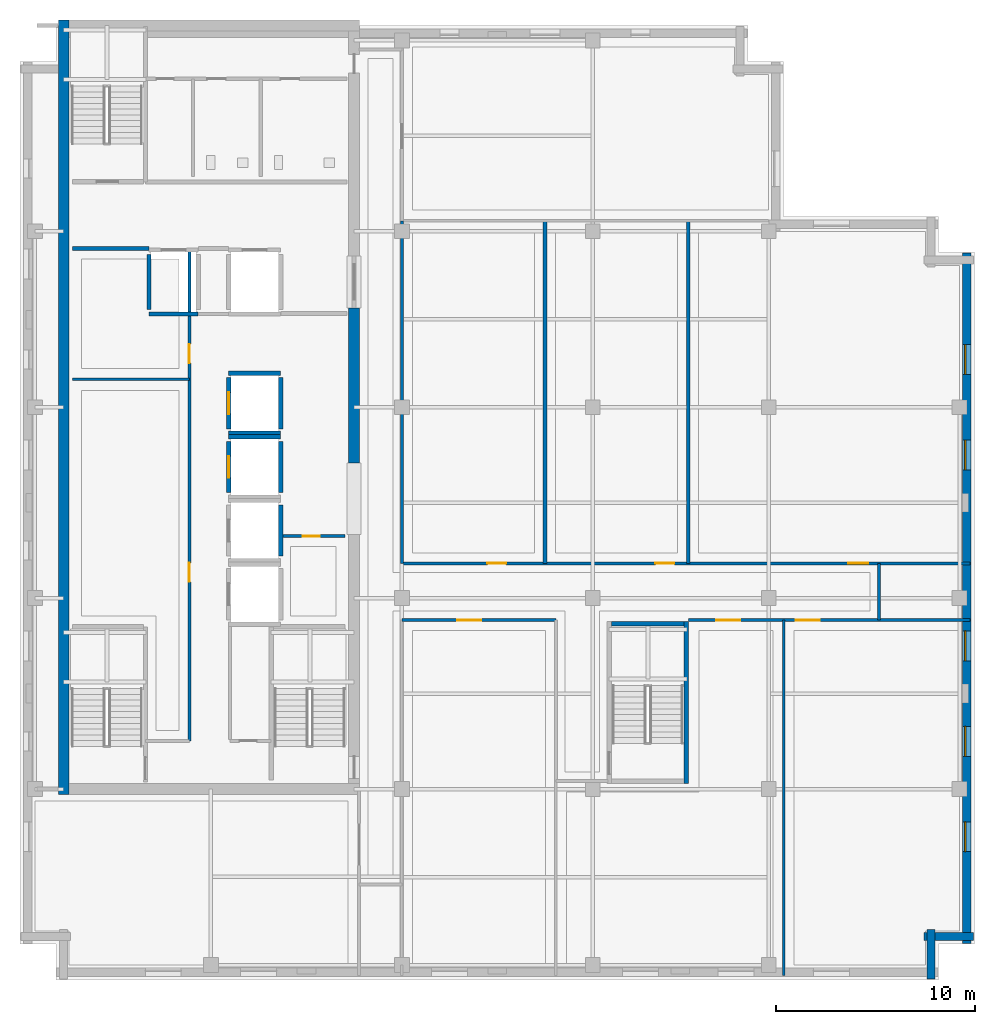
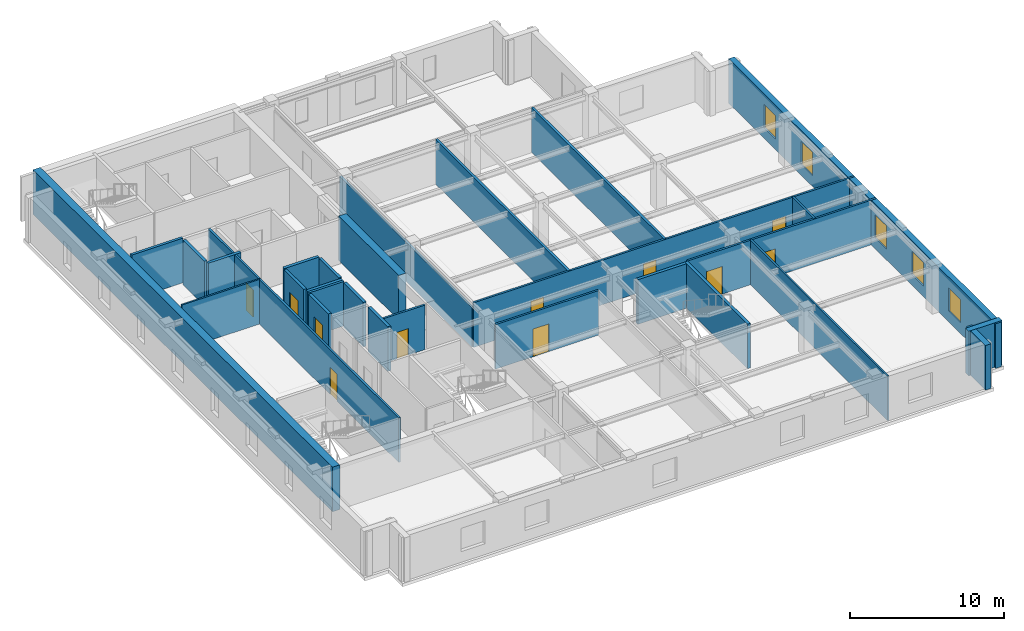
# One storey, part 4 of 10: 29 walls, 11 doors, 5 windows, 16 openings.
"""IFC4 building model written with IfcOpenShell, lengths in metres."""

from ifc_helpers import new_model, si_unit, direction, frame, frame_2d, origin, place, context, subcontext, project, spatial, rectangle, extrude, material, layer, layer_set, type_object, element, fill, save


model = new_model("IFC4")

# Units and contexts
model_context = context("Model", 3, precision=1e-05, world=origin(), true_north=direction((0.0, 1.0)))
body_context = subcontext(model_context, "Body", "Model", "MODEL_VIEW")
ifc_project = project(units=[si_unit("LENGTHUNIT", "METRE"), si_unit("AREAUNIT", "SQUARE_METRE"), si_unit("VOLUMEUNIT", "CUBIC_METRE"), si_unit("PLANEANGLEUNIT", "RADIAN"), si_unit("MASSUNIT", "GRAM", prefix="KILO")], contexts=[model_context])

# Site, building, storey
site_placement = place(None, origin())
site = spatial("IfcSite", under=ifc_project, at=site_placement, CompositionType="ELEMENT")
building_placement = place(site_placement, origin())
building = spatial("IfcBuilding", under=site, at=building_placement, Name="Norrvale University Quadrangle", CompositionType="ELEMENT")
storey_placement = place(building_placement, frame((0.0, 0.0, 265.800048828125)))
storey = spatial("IfcBuildingStorey", under=building, at=storey_placement, Name="L67", CompositionType="ELEMENT", Elevation=265.800048828125)

# Walls
ifc_material_1 = material(Name="Buff Norman Clay Brick Masonry", Category="masonry")
ifc_layer_1 = layer(ifc_material_1, 0.419921875, Name="Buff Norman Clay Brick Masonry")
ifc_layer_set_1 = layer_set([ifc_layer_1], Name="Buff Norman Clay Brick Masonry")
wall_type_1 = type_object("IfcWallType", Name="Wall Buff Brick 420", PredefinedType="SOLIDWALL", material=ifc_layer_set_1)
for number, where, z_axis, x_axis, name in (
    (1, (45.81005859375, 0.0400390625, 0.0), (0.0, 0.0, 1.0), (0.0, 1.0, 0.0), "Exterior Brick Facade Wall L67-02.1"),
    (2, (45.4599609375, 2.18994140625, 0.0), (0.0, 0.0, 1.0), (1.0, 0.0, 0.0), "Exterior Brick Facade Wall L67-03.1"),
):
    element("IfcWall", number, at=place(storey_placement, frame(where, z_axis=z_axis, x_axis=x_axis)), inside=storey, type_object=wall_type_1, Name=name, PredefinedType="SOLIDWALL", context=body_context, shape_type="SweptSolid", body=[
        extrude(rectangle(XDim=2.5, YDim=0.419921875, at=frame_2d((1.25, 0.0))), origin(), (0.0, 0.0, 1.0), 3.5400390625),
    ])

# Wall, openings, windows
wall_1_placement = place(storey_placement, frame((47.610107421875, 1.840087890625, 0.0), z_axis=(0.0, 0.0, 1.0), x_axis=(0.0, 1.0, 0.0)))
wall_1 = element("IfcWall", 3, at=wall_1_placement, inside=storey, type_object=wall_type_1, Name="Exterior Brick Facade Wall L67-04.1", PredefinedType="SOLIDWALL", context=body_context, shape_type="SweptSolid", body=[
    extrude(rectangle(XDim=34.719970703125, YDim=0.419921875, at=frame_2d((17.35986328125, 0.0))), origin(), (0.0, 0.0, 1.0), 3.5400390625),
])
opening_1_placement = place(wall_1_placement, frame((4.610107421875, 0.0, 0.85009765625)))
opening_1 = element("IfcOpeningElement", 4, at=opening_1_placement, cuts=wall_1, Name="Opening W03", PredefinedType="OPENING", context=body_context, shape_type="SweptSolid", body=[
    extrude(rectangle(XDim=1.5, YDim=1.85009765625, at=frame_2d((0.75, 0.925048828125))), frame((0.0, 0.221923828125, 0.0), z_axis=(0.0, -1.0, 0.0), x_axis=(1.0, 0.0, 0.0)), (0.0, 0.0, 1.0), 0.44384765625),
])
opening_2_placement = place(wall_1_placement, frame((9.409912109375, 0.0, 0.85009765625)))
opening_2 = element("IfcOpeningElement", 5, at=opening_2_placement, cuts=wall_1, Name="Opening W03", PredefinedType="OPENING", context=body_context, shape_type="SweptSolid", body=[
    extrude(rectangle(XDim=1.5, YDim=1.85009765625, at=frame_2d((0.75, 0.925048828125))), frame((0.0, 0.221923828125, 0.0), z_axis=(0.0, -1.0, 0.0), x_axis=(1.0, 0.0, 0.0)), (0.0, 0.0, 1.0), 0.44384765625),
])
opening_3_placement = place(wall_1_placement, frame((14.2099609375, 0.0, 0.85009765625)))
opening_3 = element("IfcOpeningElement", 6, at=opening_3_placement, cuts=wall_1, Name="Opening W03", PredefinedType="OPENING", context=body_context, shape_type="SweptSolid", body=[
    extrude(rectangle(XDim=1.5, YDim=1.85009765625, at=frame_2d((0.75, 0.925048828125))), frame((0.0, 0.221923828125, 0.0), z_axis=(0.0, -1.0, 0.0), x_axis=(1.0, 0.0, 0.0)), (0.0, 0.0, 1.0), 0.44384765625),
])
opening_4_placement = place(wall_1_placement, frame((23.81005859375, 0.0, 0.85009765625)))
opening_4 = element("IfcOpeningElement", 7, at=opening_4_placement, cuts=wall_1, Name="Opening W03", PredefinedType="OPENING", context=body_context, shape_type="SweptSolid", body=[
    extrude(rectangle(XDim=1.5, YDim=1.85009765625, at=frame_2d((0.75, 0.925048828125))), frame((0.0, 0.221923828125, 0.0), z_axis=(0.0, -1.0, 0.0), x_axis=(1.0, 0.0, 0.0)), (0.0, 0.0, 1.0), 0.44384765625),
])
opening_5_placement = place(wall_1_placement, frame((28.610107421875, 0.0, 0.85009765625)))
opening_5 = element("IfcOpeningElement", 8, at=opening_5_placement, cuts=wall_1, Name="Opening W03", PredefinedType="OPENING", context=body_context, shape_type="SweptSolid", body=[
    extrude(rectangle(XDim=1.5, YDim=1.85009765625, at=frame_2d((0.75, 0.925048828125))), frame((0.0, 0.221923828125, 0.0), z_axis=(0.0, -1.0, 0.0), x_axis=(1.0, 0.0, 0.0)), (0.0, 0.0, 1.0), 0.44384765625),
])
ifc_material_2 = material(Name="Triple Low-E Argon Glazing", Category="glass")
window_type = type_object("IfcWindowType", Name="Window Studio 1500x2300", PartitioningType="DOUBLE_PANEL_VERTICAL", PredefinedType="WINDOW", material=ifc_material_2)
window_1_placement = place(opening_1_placement, origin())
window_1 = element("IfcWindow", 9, at=window_1_placement, inside=storey, type_object=window_type, Name="Window Studio 1500x2300 WIN-L67-E04-1-01", OverallHeight=1.85009765625, OverallWidth=1.5, PartitioningType="DOUBLE_PANEL_VERTICAL", PredefinedType="WINDOW", context=body_context, shape_type="SweptSolid", body=[
    extrude(rectangle(XDim=1.5, YDim=1.85009765625, at=frame_2d((0.75, 0.925048828125))), frame((0.0, 0.110107421875, 0.0), z_axis=(0.0, -1.0, 0.0), x_axis=(1.0, 0.0, 0.0)), (0.0, 0.0, 1.0), 0.06005859375),
])
fill(opening_1, window_1)
window_2_placement = place(opening_2_placement, origin())
window_2 = element("IfcWindow", 10, at=window_2_placement, inside=storey, type_object=window_type, Name="Window Studio 1500x2300 WIN-L67-E04-1-02", OverallHeight=1.85009765625, OverallWidth=1.5, PartitioningType="DOUBLE_PANEL_VERTICAL", PredefinedType="WINDOW", context=body_context, shape_type="SweptSolid", body=[
    extrude(rectangle(XDim=1.5, YDim=1.85009765625, at=frame_2d((0.75, 0.925048828125))), frame((0.0, 0.110107421875, 0.0), z_axis=(0.0, -1.0, 0.0), x_axis=(1.0, 0.0, 0.0)), (0.0, 0.0, 1.0), 0.06005859375),
])
fill(opening_2, window_2)
window_3_placement = place(opening_3_placement, origin())
window_3 = element("IfcWindow", 11, at=window_3_placement, inside=storey, type_object=window_type, Name="Window Studio 1500x2300 WIN-L67-E04-1-03", OverallHeight=1.85009765625, OverallWidth=1.5, PartitioningType="DOUBLE_PANEL_VERTICAL", PredefinedType="WINDOW", context=body_context, shape_type="SweptSolid", body=[
    extrude(rectangle(XDim=1.5, YDim=1.85009765625, at=frame_2d((0.75, 0.925048828125))), frame((0.0, 0.110107421875, 0.0), z_axis=(0.0, -1.0, 0.0), x_axis=(1.0, 0.0, 0.0)), (0.0, 0.0, 1.0), 0.06005859375),
])
fill(opening_3, window_3)
window_4_placement = place(opening_4_placement, origin())
window_4 = element("IfcWindow", 12, at=window_4_placement, inside=storey, type_object=window_type, Name="Window Studio 1500x2300 WIN-L67-E04-1-04", OverallHeight=1.85009765625, OverallWidth=1.5, PartitioningType="DOUBLE_PANEL_VERTICAL", PredefinedType="WINDOW", context=body_context, shape_type="SweptSolid", body=[
    extrude(rectangle(XDim=1.5, YDim=1.85009765625, at=frame_2d((0.75, 0.925048828125))), frame((0.0, 0.110107421875, 0.0), z_axis=(0.0, -1.0, 0.0), x_axis=(1.0, 0.0, 0.0)), (0.0, 0.0, 1.0), 0.06005859375),
])
fill(opening_4, window_4)
window_5_placement = place(opening_5_placement, origin())
window_5 = element("IfcWindow", 13, at=window_5_placement, inside=storey, type_object=window_type, Name="Window Studio 1500x2300 WIN-L67-E04-1-05", OverallHeight=1.85009765625, OverallWidth=1.5, PartitioningType="DOUBLE_PANEL_VERTICAL", PredefinedType="WINDOW", context=body_context, shape_type="SweptSolid", body=[
    extrude(rectangle(XDim=1.5, YDim=1.85009765625, at=frame_2d((0.75, 0.925048828125))), frame((0.0, 0.110107421875, 0.0), z_axis=(0.0, -1.0, 0.0), x_axis=(1.0, 0.0, 0.0)), (0.0, 0.0, 1.0), 0.06005859375),
])
fill(opening_5, window_5)

# Walls
ifc_material_3 = material(Name="Concrete C60/75", Category="concrete")
ifc_layer_2 = layer(ifc_material_3, 0.550048828125, Name="Concrete C60/75")
ifc_layer_set_2 = layer_set([ifc_layer_2], Name="Concrete C60/75")
wall_type_2 = type_object("IfcWallType", Name="Wall Core 550", PredefinedType="SHEAR", material=ifc_layer_set_2)
wall_2_placement = place(storey_placement, frame((2.199951171875, 9.324951171875, 0.0), z_axis=(0.0, 0.0, 1.0), x_axis=(0.0, 1.0, 0.0)))
element("IfcWall", 14, at=wall_2_placement, inside=storey, type_object=wall_type_2, Name="Tower Core Shear Wall L67-W", PredefinedType="SHEAR", context=body_context, shape_type="SweptSolid", body=[
    extrude(rectangle(XDim=38.949951171875, YDim=0.550048828125, at=frame_2d((19.47509765625, 0.0))), origin(), (0.0, 0.0, 1.0), 3.5400390625),
])
wall_3_placement = place(storey_placement, frame((16.800048828125, 26.0, 0.0), z_axis=(0.0, 0.0, 1.0), x_axis=(0.0, 1.0, 0.0)))
element("IfcWall", 15, at=wall_3_placement, inside=storey, type_object=wall_type_2, Name="Tower Core Shear Wall L67-E2", PredefinedType="SHEAR", context=body_context, shape_type="SweptSolid", body=[
    extrude(rectangle(XDim=7.800048828125, YDim=0.550048828125, at=frame_2d((3.89990234375, 0.0))), origin(), (0.0, 0.0, 1.0), 3.5400390625),
])
ifc_material_4 = material(Name="Standard Academic Gypsum Partition")
ifc_layer_3 = layer(ifc_material_4, 0.125, Name="Standard Academic Gypsum Partition")
ifc_layer_set_3 = layer_set([ifc_layer_3], Name="Standard Academic Gypsum Partition")
wall_type_3 = type_object("IfcWallType", Name="Wall Gypsum Academic 125", PredefinedType="PARTITIONING", material=ifc_layer_set_3)
wall_4_placement = place(storey_placement, frame((2.64990234375, 30.199951171875, 0.0), z_axis=(0.0, 0.0, 1.0), x_axis=(1.0, 0.0, 0.0)))
element("IfcWall", 16, at=wall_4_placement, inside=storey, type_object=wall_type_3, Name="Interior Partition WL-L67-REC-M", PredefinedType="PARTITIONING", context=body_context, shape_type="SweptSolid", body=[
    extrude(rectangle(XDim=5.8701171875, YDim=0.125, at=frame_2d((2.93505859375, 0.0))), origin(), (0.0, 0.0, 1.0), 3.5400390625),
])
wall_5_placement = place(storey_placement, frame((38.39990234375, 0.219970703125, 0.0), z_axis=(0.0, 0.0, 1.0), x_axis=(0.0, 1.0, 0.0)))
element("IfcWall", 17, at=wall_5_placement, inside=storey, type_object=wall_type_3, Name="Interior Partition WL-L67-SEP2", PredefinedType="PARTITIONING", context=body_context, shape_type="SweptSolid", body=[
    extrude(rectangle(XDim=17.880126953125, YDim=0.125, at=frame_2d((8.93994140625, 0.0))), origin(), (0.0, 0.0, 1.0), 3.5400390625),
])

# Wall, opening, door
ifc_material_5 = material(Name="Fire-Rated Gypsum Stud Partition")
ifc_layer_4 = layer(ifc_material_5, 0.14990234375, Name="Fire-Rated Gypsum Stud Partition")
ifc_layer_set_4 = layer_set([ifc_layer_4], Name="Fire-Rated Gypsum Stud Partition")
wall_type_4 = type_object("IfcWallType", Name="Wall Gypsum Corridor 150", PredefinedType="PARTITIONING", material=ifc_layer_set_4)
wall_6_placement = place(storey_placement, frame((13.22509765625, 22.320068359375, 0.0), z_axis=(0.0, 0.0, 1.0), x_axis=(1.0, 0.0, 0.0)))
wall_6 = element("IfcWall", 18, at=wall_6_placement, inside=storey, type_object=wall_type_4, Name="Interior Partition WL-L67-JAN-N", PredefinedType="PARTITIONING", context=body_context, shape_type="SweptSolid", body=[
    extrude(rectangle(XDim=3.119873046875, YDim=0.14990234375, at=frame_2d((1.56005859375, 0.0))), origin(), (0.0, 0.0, 1.0), 3.5400390625),
])
opening_6_placement = place(wall_6_placement, frame((1.0, 0.0, 0.0)))
opening_6 = element("IfcOpeningElement", 19, at=opening_6_placement, cuts=wall_6, Name="Opening D10", PredefinedType="OPENING", context=body_context, shape_type="SweptSolid", body=[
    extrude(rectangle(XDim=0.85009765625, YDim=2.10009765625, at=frame_2d((0.425048828125, 1.050048828125))), frame((0.0, 0.0869140625, 0.0), z_axis=(0.0, -1.0, 0.0), x_axis=(1.0, 0.0, 0.0)), (0.0, 0.0, 1.0), 0.173828125),
])
ifc_material_6 = material(Name="Hollow Steel 350W Riser Fire Door", Category="steel")
door_type_1 = type_object("IfcDoorType", Name="Door Riser 850x2100", OperationType="NOTDEFINED", PredefinedType="DOOR", material=ifc_material_6)
door_1_placement = place(opening_6_placement, origin())
door_1 = element("IfcDoor", 20, at=door_1_placement, inside=storey, type_object=door_type_1, Name="Door Riser 850x2100 DR-L67-JAN", OperationType="SINGLE_SWING_LEFT", OverallHeight=2.10009765625, OverallWidth=0.85009765625, PredefinedType="DOOR", context=body_context, shape_type="SweptSolid", body=[
    extrude(rectangle(XDim=0.85009765625, YDim=2.10009765625, at=frame_2d((0.425048828125, 1.050048828125))), frame((0.0, 0.02490234375, 0.0), z_axis=(0.0, -1.0, 0.0), x_axis=(1.0, 0.0, 0.0)), (0.0, 0.0, 1.0), 0.050048828125),
])
fill(opening_6, door_1)

# Wall, openings, doors
wall_7_placement = place(storey_placement, frame((8.52001953125, 12.02001953125, 0.0), z_axis=(0.0, 0.0, 1.0), x_axis=(0.0, 1.0, 0.0)))
wall_7 = element("IfcWall", 21, at=wall_7_placement, inside=storey, type_object=wall_type_4, Name="Interior Partition WL-L67-REC-E", PredefinedType="PARTITIONING", context=body_context, shape_type="SweptSolid", body=[
    extrude(rectangle(XDim=24.760009765625, YDim=0.14990234375, at=frame_2d((12.3798828125, 0.0))), origin(), (0.0, 0.0, 1.0), 3.5400390625),
])
opening_7_placement = place(wall_7_placement, frame((8.0, 0.0, 0.0)))
opening_7 = element("IfcOpeningElement", 22, at=opening_7_placement, cuts=wall_7, Name="Opening D07", PredefinedType="OPENING", context=body_context, shape_type="SweptSolid", body=[
    extrude(rectangle(XDim=0.949951171875, YDim=2.14990234375, at=frame_2d((0.47509765625, 1.074951171875))), frame((0.0, 0.0869140625, 0.0), z_axis=(0.0, -1.0, 0.0), x_axis=(1.0, 0.0, 0.0)), (0.0, 0.0, 1.0), 0.173828125),
])
opening_8_placement = place(wall_7_placement, frame((19.0, 0.0, 0.0)))
opening_8 = element("IfcOpeningElement", 23, at=opening_8_placement, cuts=wall_7, Name="Opening D07", PredefinedType="OPENING", context=body_context, shape_type="SweptSolid", body=[
    extrude(rectangle(XDim=0.949951171875, YDim=2.14990234375, at=frame_2d((0.47509765625, 1.074951171875))), frame((0.0, 0.0869140625, 0.0), z_axis=(0.0, -1.0, 0.0), x_axis=(1.0, 0.0, 0.0)), (0.0, 0.0, 1.0), 0.173828125),
])
ifc_material_7 = material(Name="Solid-Core Maple Door", Category="wood")
door_type_2 = type_object("IfcDoorType", Name="Door Office 950x2150", OperationType="NOTDEFINED", PredefinedType="DOOR", material=ifc_material_7)
door_2_placement = place(opening_7_placement, origin())
door_2 = element("IfcDoor", 24, at=door_2_placement, inside=storey, type_object=door_type_2, Name="Door Office 950x2150 DR-L67-REC1", OperationType="SINGLE_SWING_LEFT", OverallHeight=2.14990234375, OverallWidth=0.949951171875, PredefinedType="DOOR", context=body_context, shape_type="SweptSolid", body=[
    extrude(rectangle(XDim=0.949951171875, YDim=2.14990234375, at=frame_2d((0.47509765625, 1.074951171875))), frame((0.0, 0.02490234375, 0.0), z_axis=(0.0, -1.0, 0.0), x_axis=(1.0, 0.0, 0.0)), (0.0, 0.0, 1.0), 0.050048828125),
])
fill(opening_7, door_2)
door_3_placement = place(opening_8_placement, origin())
door_3 = element("IfcDoor", 25, at=door_3_placement, inside=storey, type_object=door_type_2, Name="Door Office 950x2150 DR-L67-REC2", OperationType="SINGLE_SWING_RIGHT", OverallHeight=2.14990234375, OverallWidth=0.949951171875, PredefinedType="DOOR", context=body_context, shape_type="SweptSolid", body=[
    extrude(rectangle(XDim=0.949951171875, YDim=2.14990234375, at=frame_2d((0.47509765625, 1.074951171875))), frame((0.0, 0.02490234375, 0.0), z_axis=(0.0, -1.0, 0.0), x_axis=(1.0, 0.0, 0.0)), (0.0, 0.0, 1.0), 0.050048828125),
])
fill(opening_8, door_3)

# Wall
wall_8_placement = place(storey_placement, frame((43.199951171875, 18.10009765625, 0.0), z_axis=(0.0, 0.0, 1.0), x_axis=(0.0, 1.0, 0.0)))
element("IfcWall", 26, at=wall_8_placement, inside=storey, type_object=wall_type_4, Name="Interior Partition WL-L67-CESP-E", PredefinedType="PARTITIONING", context=body_context, shape_type="SweptSolid", body=[
    extrude(rectangle(XDim=2.849853515625, YDim=0.14990234375, at=frame_2d((1.4248046875, 0.0))), origin(), (0.0, 0.0, 1.0), 3.5400390625),
])

# Wall, opening, door
wall_9_placement = place(storey_placement, frame((19.199951171875, 18.10009765625, 0.0), z_axis=(0.0, 0.0, 1.0), x_axis=(1.0, 0.0, 0.0)))
wall_9 = element("IfcWall", 27, at=wall_9_placement, inside=storey, type_object=wall_type_4, Name="Interior Partition WL-L67-SEW1", PredefinedType="PARTITIONING", context=body_context, shape_type="SweptSolid", body=[
    extrude(rectangle(XDim=7.75, YDim=0.14990234375, at=frame_2d((3.875, 0.0))), origin(), (0.0, 0.0, 1.0), 3.5400390625),
])
opening_9_placement = place(wall_9_placement, frame((2.800048828125, 0.0, 0.0)))
opening_9 = element("IfcOpeningElement", 28, at=opening_9_placement, cuts=wall_9, Name="Opening D05", PredefinedType="OPENING", context=body_context, shape_type="SweptSolid", body=[
    extrude(rectangle(XDim=1.199951171875, YDim=2.199951171875, at=frame_2d((0.60009765625, 1.10009765625))), frame((0.0, 0.0869140625, 0.0), z_axis=(0.0, -1.0, 0.0), x_axis=(1.0, 0.0, 0.0)), (0.0, 0.0, 1.0), 0.173828125),
])
ifc_material_8 = material(Name="Acoustic Oak Classroom Door", Category="wood")
door_type_3 = type_object("IfcDoorType", Name="Door Classroom 1200x2200", OperationType="NOTDEFINED", PredefinedType="DOOR", material=ifc_material_8)
door_4_placement = place(opening_9_placement, origin())
door_4 = element("IfcDoor", 29, at=door_4_placement, inside=storey, type_object=door_type_3, Name="Door Classroom 1200x2200 DR-L67-SE1", OperationType="SINGLE_SWING_LEFT", OverallHeight=2.199951171875, OverallWidth=1.199951171875, PredefinedType="DOOR", context=body_context, shape_type="SweptSolid", body=[
    extrude(rectangle(XDim=1.199951171875, YDim=2.199951171875, at=frame_2d((0.60009765625, 1.10009765625))), frame((0.0, 0.02490234375, 0.0), z_axis=(0.0, -1.0, 0.0), x_axis=(1.0, 0.0, 0.0)), (0.0, 0.0, 1.0), 0.050048828125),
])
fill(opening_9, door_4)

# Wall, openings, doors
wall_10_placement = place(storey_placement, frame((33.6201171875, 18.10009765625, 0.0), z_axis=(0.0, 0.0, 1.0), x_axis=(1.0, 0.0, 0.0)))
wall_10 = element("IfcWall", 30, at=wall_10_placement, inside=storey, type_object=wall_type_4, Name="Interior Partition WL-L67-SEW2", PredefinedType="PARTITIONING", context=body_context, shape_type="SweptSolid", body=[
    extrude(rectangle(XDim=14.159912109375, YDim=0.14990234375, at=frame_2d((7.080078125, 0.0))), origin(), (0.0, 0.0, 1.0), 3.5400390625),
])
opening_10_placement = place(wall_10_placement, frame((1.39990234375, 0.0, 0.0)))
opening_10 = element("IfcOpeningElement", 31, at=opening_10_placement, cuts=wall_10, Name="Opening D05", PredefinedType="OPENING", context=body_context, shape_type="SweptSolid", body=[
    extrude(rectangle(XDim=1.199951171875, YDim=2.199951171875, at=frame_2d((0.60009765625, 1.10009765625))), frame((0.0, 0.0869140625, 0.0), z_axis=(0.0, -1.0, 0.0), x_axis=(1.0, 0.0, 0.0)), (0.0, 0.0, 1.0), 0.173828125),
])
opening_11_placement = place(wall_10_placement, frame((5.39990234375, 0.0, 0.0)))
opening_11 = element("IfcOpeningElement", 32, at=opening_11_placement, cuts=wall_10, Name="Opening D05", PredefinedType="OPENING", context=body_context, shape_type="SweptSolid", body=[
    extrude(rectangle(XDim=1.199951171875, YDim=2.199951171875, at=frame_2d((0.60009765625, 1.10009765625))), frame((0.0, 0.0869140625, 0.0), z_axis=(0.0, -1.0, 0.0), x_axis=(1.0, 0.0, 0.0)), (0.0, 0.0, 1.0), 0.173828125),
])
door_5_placement = place(opening_10_placement, origin())
door_5 = element("IfcDoor", 33, at=door_5_placement, inside=storey, type_object=door_type_3, Name="Door Classroom 1200x2200 DR-L67-SE2", OperationType="SINGLE_SWING_RIGHT", OverallHeight=2.199951171875, OverallWidth=1.199951171875, PredefinedType="DOOR", context=body_context, shape_type="SweptSolid", body=[
    extrude(rectangle(XDim=1.199951171875, YDim=2.199951171875, at=frame_2d((0.60009765625, 1.10009765625))), frame((0.0, 0.02490234375, 0.0), z_axis=(0.0, -1.0, 0.0), x_axis=(1.0, 0.0, 0.0)), (0.0, 0.0, 1.0), 0.050048828125),
])
fill(opening_10, door_5)
door_6_placement = place(opening_11_placement, origin())
door_6 = element("IfcDoor", 34, at=door_6_placement, inside=storey, type_object=door_type_3, Name="Door Classroom 1200x2200 DR-L67-SE3", OperationType="SINGLE_SWING_LEFT", OverallHeight=2.199951171875, OverallWidth=1.199951171875, PredefinedType="DOOR", context=body_context, shape_type="SweptSolid", body=[
    extrude(rectangle(XDim=1.199951171875, YDim=2.199951171875, at=frame_2d((0.60009765625, 1.10009765625))), frame((0.0, 0.02490234375, 0.0), z_axis=(0.0, -1.0, 0.0), x_axis=(1.0, 0.0, 0.0)), (0.0, 0.0, 1.0), 0.050048828125),
])
fill(opening_11, door_6)

wall_11_placement = place(storey_placement, frame((19.199951171875, 20.949951171875, 0.0), z_axis=(0.0, 0.0, 1.0), x_axis=(1.0, 0.0, 0.0)))
wall_11 = element("IfcWall", 35, at=wall_11_placement, inside=storey, type_object=wall_type_4, Name="Interior Partition WL-L67-MECW", PredefinedType="PARTITIONING", context=body_context, shape_type="SweptSolid", body=[
    extrude(rectangle(XDim=28.580078125, YDim=0.14990234375, at=frame_2d((14.2900390625, 0.0))), origin(), (0.0, 0.0, 1.0), 3.5400390625),
])
opening_12_placement = place(wall_11_placement, frame((4.300048828125, 0.0, 0.0)))
opening_12 = element("IfcOpeningElement", 36, at=opening_12_placement, cuts=wall_11, Name="Opening D07", PredefinedType="OPENING", context=body_context, shape_type="SweptSolid", body=[
    extrude(rectangle(XDim=0.949951171875, YDim=2.14990234375, at=frame_2d((0.47509765625, 1.074951171875))), frame((0.0, 0.0869140625, 0.0), z_axis=(0.0, -1.0, 0.0), x_axis=(1.0, 0.0, 0.0)), (0.0, 0.0, 1.0), 0.173828125),
])
opening_13_placement = place(wall_11_placement, frame((12.75, 0.0, 0.0)))
opening_13 = element("IfcOpeningElement", 37, at=opening_13_placement, cuts=wall_11, Name="Opening D07", PredefinedType="OPENING", context=body_context, shape_type="SweptSolid", body=[
    extrude(rectangle(XDim=0.949951171875, YDim=2.14990234375, at=frame_2d((0.47509765625, 1.074951171875))), frame((0.0, 0.0869140625, 0.0), z_axis=(0.0, -1.0, 0.0), x_axis=(1.0, 0.0, 0.0)), (0.0, 0.0, 1.0), 0.173828125),
])
opening_14_placement = place(wall_11_placement, frame((22.449951171875, 0.0, 0.0)))
opening_14 = element("IfcOpeningElement", 38, at=opening_14_placement, cuts=wall_11, Name="Opening D04", PredefinedType="OPENING", context=body_context, shape_type="SweptSolid", body=[
    extrude(rectangle(XDim=1.0, YDim=2.199951171875, at=frame_2d((0.5, 1.10009765625))), frame((0.0, 0.0869140625, 0.0), z_axis=(0.0, -1.0, 0.0), x_axis=(1.0, 0.0, 0.0)), (0.0, 0.0, 1.0), 0.173828125),
])
ifc_material_9 = material(Name="Solid-Core Oak Fire Door", Category="wood")
door_type_4 = type_object("IfcDoorType", Name="Door Corridor 1000x2200", OperationType="NOTDEFINED", PredefinedType="DOOR", material=ifc_material_9)
door_7_placement = place(opening_14_placement, origin())
door_7 = element("IfcDoor", 39, at=door_7_placement, inside=storey, type_object=door_type_4, Name="Door Corridor 1000x2200 DR-L67-ME03", OperationType="SINGLE_SWING_LEFT", OverallHeight=2.199951171875, OverallWidth=1.0, PredefinedType="DOOR", context=body_context, shape_type="SweptSolid", body=[
    extrude(rectangle(XDim=1.0, YDim=2.199951171875, at=frame_2d((0.5, 1.10009765625))), frame((0.0, 0.02490234375, 0.0), z_axis=(0.0, -1.0, 0.0), x_axis=(1.0, 0.0, 0.0)), (0.0, 0.0, 1.0), 0.050048828125),
])
fill(opening_14, door_7)
door_8_placement = place(opening_12_placement, origin())
door_8 = element("IfcDoor", 40, at=door_8_placement, inside=storey, type_object=door_type_2, Name="Door Office 950x2150 DR-L67-ME01", OperationType="SINGLE_SWING_LEFT", OverallHeight=2.14990234375, OverallWidth=0.949951171875, PredefinedType="DOOR", context=body_context, shape_type="SweptSolid", body=[
    extrude(rectangle(XDim=0.949951171875, YDim=2.14990234375, at=frame_2d((0.47509765625, 1.074951171875))), frame((0.0, 0.02490234375, 0.0), z_axis=(0.0, -1.0, 0.0), x_axis=(1.0, 0.0, 0.0)), (0.0, 0.0, 1.0), 0.050048828125),
])
fill(opening_12, door_8)
door_9_placement = place(opening_13_placement, origin())
door_9 = element("IfcDoor", 41, at=door_9_placement, inside=storey, type_object=door_type_2, Name="Door Office 950x2150 DR-L67-ME02", OperationType="SINGLE_SWING_RIGHT", OverallHeight=2.14990234375, OverallWidth=0.949951171875, PredefinedType="DOOR", context=body_context, shape_type="SweptSolid", body=[
    extrude(rectangle(XDim=0.949951171875, YDim=2.14990234375, at=frame_2d((0.47509765625, 1.074951171875))), frame((0.0, 0.02490234375, 0.0), z_axis=(0.0, -1.0, 0.0), x_axis=(1.0, 0.0, 0.0)), (0.0, 0.0, 1.0), 0.050048828125),
])
fill(opening_13, door_9)

# Walls
wall_12_placement = place(storey_placement, frame((19.199951171875, 20.949951171875, 0.0), z_axis=(0.0, 0.0, 1.0), x_axis=(0.0, 1.0, 0.0)))
element("IfcWall", 42, at=wall_12_placement, inside=storey, type_object=wall_type_4, Name="Interior Partition WL-L67-ME-W", PredefinedType="PARTITIONING", context=body_context, shape_type="SweptSolid", body=[
    extrude(rectangle(XDim=17.22998046875, YDim=0.14990234375, at=frame_2d((8.614990234375, 0.0))), origin(), (0.0, 0.0, 1.0), 3.123046875),
])
ifc_material_10 = material(Name="Acoustic Double-Stud Gypsum Partition")
ifc_layer_5 = layer(ifc_material_10, 0.179931640625, Name="Acoustic Double-Stud Gypsum Partition")
ifc_layer_set_5 = layer_set([ifc_layer_5], Name="Acoustic Double-Stud Gypsum Partition")
wall_type_5 = type_object("IfcWallType", Name="Wall Gypsum Lecture 180", PredefinedType="PARTITIONING", material=ifc_layer_set_5)
for number, where, z_axis, x_axis, name in (
    (43, (26.39990234375, 20.949951171875, 0.0), (0.0, 0.0, 1.0), (0.0, 1.0, 0.0), "Interior Partition WL-L67-MEP01"),
    (44, (33.60009765625, 20.949951171875, 0.0), (0.0, 0.0, 1.0), (0.0, 1.0, 0.0), "Interior Partition WL-L67-MEP02"),
):
    element("IfcWall", number, at=place(storey_placement, frame(where, z_axis=z_axis, x_axis=x_axis)), inside=storey, type_object=wall_type_5, Name=name, PredefinedType="PARTITIONING", context=body_context, shape_type="SweptSolid", body=[
        extrude(rectangle(XDim=17.22998046875, YDim=0.179931640625, at=frame_2d((8.614990234375, 0.0))), origin(), (0.0, 0.0, 1.0), 3.5400390625),
    ])
ifc_material_11 = material(Name="Concrete Blockwork 20 MPa Rated Wall", Category="masonry")
ifc_layer_6 = layer(ifc_material_11, 0.199951171875, Name="Concrete Blockwork 20 MPa Rated Wall")
ifc_layer_set_6 = layer_set([ifc_layer_6], Name="Concrete Blockwork 20 MPa Rated Wall")
wall_type_6 = type_object("IfcWallType", Name="Wall Lobby 200", PredefinedType="SOLIDWALL", material=ifc_layer_set_6)
wall_13_placement = place(storey_placement, frame((2.64990234375, 36.780029296875, 0.0), z_axis=(0.0, 0.0, 1.0), x_axis=(1.0, 0.0, 0.0)))
element("IfcWall", 45, at=wall_13_placement, inside=storey, type_object=wall_type_6, Name="Interior Partition WL-L67-FF1", PredefinedType="SOLIDWALL", context=body_context, shape_type="SweptSolid", body=[
    extrude(rectangle(XDim=3.830078125, YDim=0.199951171875, at=frame_2d((1.9150390625, 0.0))), origin(), (0.0, 0.0, 1.0), 3.5400390625),
])
ifc_material_12 = material(Name="Concrete Blockwork 20 MPa Fire Shaft", Category="masonry")
ifc_layer_7 = layer(ifc_material_12, 0.219970703125, Name="Concrete Blockwork 20 MPa Fire Shaft")
ifc_layer_set_7 = layer_set([ifc_layer_7], Name="Concrete Blockwork 20 MPa Fire Shaft")
wall_type_7 = type_object("IfcWallType", Name="Wall Shaft 220", PredefinedType="SOLIDWALL", material=ifc_layer_set_7)
wall_14_placement = place(storey_placement, frame((33.510009765625, 9.8798828125, 0.0), z_axis=(0.0, 0.0, 1.0), x_axis=(0.0, 1.0, 0.0)))
element("IfcWall", 46, at=wall_14_placement, inside=storey, type_object=wall_type_7, Name="Stair ST-04 East Shaft Wall L67", PredefinedType="SOLIDWALL", context=body_context, shape_type="SweptSolid", body=[
    extrude(rectangle(XDim=8.14013671875, YDim=0.219970703125, at=frame_2d((4.070068359375, 0.0))), origin(), (0.0, 0.0, 1.0), 3.5400390625),
])
wall_15_placement = place(storey_placement, frame((29.75, 17.909912109375, 0.0), z_axis=(0.0, 0.0, 1.0), x_axis=(1.0, 0.0, 0.0)))
element("IfcWall", 47, at=wall_15_placement, inside=storey, type_object=wall_type_7, Name="Stair ST-04 North Shaft Wall L67", PredefinedType="SOLIDWALL", context=body_context, shape_type="SweptSolid", body=[
    extrude(rectangle(XDim=3.64990234375, YDim=0.219970703125, at=frame_2d((1.824951171875, 0.0))), origin(), (0.0, 0.0, 1.0), 3.5400390625),
])
wall_16_placement = place(storey_placement, frame((13.110107421875, 21.31005859375, 0.0), z_axis=(0.0, 0.0, 1.0), x_axis=(0.0, 1.0, 0.0)))
element("IfcWall", 48, at=wall_16_placement, inside=storey, type_object=wall_type_7, Name="Hoistway PL-06 East Wall L67", PredefinedType="SOLIDWALL", context=body_context, shape_type="SweptSolid", body=[
    extrude(rectangle(XDim=2.579833984375, YDim=0.219970703125, at=frame_2d((1.2900390625, 0.0))), origin(), (0.0, 0.0, 1.0), 3.5400390625),
])

# Wall, opening, door
wall_17_placement = place(storey_placement, frame((10.489990234375, 24.510009765625, 0.0), z_axis=(0.0, 0.0, 1.0), x_axis=(0.0, 1.0, 0.0)))
wall_17 = element("IfcWall", 49, at=wall_17_placement, inside=storey, type_object=wall_type_7, Name="Hoistway PL-07 West Wall L67", PredefinedType="SOLIDWALL", context=body_context, shape_type="SweptSolid", body=[
    extrude(rectangle(XDim=2.580078125, YDim=0.219970703125, at=frame_2d((1.2900390625, 0.0))), origin(), (0.0, 0.0, 1.0), 3.5400390625),
])
opening_15_placement = place(wall_17_placement, frame((0.739990234375, 0.0, 0.0)))
opening_15 = element("IfcOpeningElement", 50, at=opening_15_placement, cuts=wall_17, Name="Opening LD1", PredefinedType="OPENING", context=body_context, shape_type="SweptSolid", body=[
    extrude(rectangle(XDim=1.10009765625, YDim=2.199951171875, at=frame_2d((0.550048828125, 1.10009765625))), frame((0.0, 0.1220703125, 0.0), z_axis=(0.0, -1.0, 0.0), x_axis=(1.0, 0.0, 0.0)), (0.0, 0.0, 1.0), 0.243896484375),
])
ifc_material_13 = material(Name="Stainless Steel 316L Lift Landing Door", Category="steel")
door_type_5 = type_object("IfcDoorType", Name="Door Lift Landing 1100x2200", OperationType="DOUBLE_DOOR_SLIDING", PredefinedType="DOOR", material=ifc_material_13)
door_10_placement = place(opening_15_placement, origin())
door_10 = element("IfcDoor", 51, at=door_10_placement, inside=storey, type_object=door_type_5, Name="Elevator Landing Door DR-L67-PL-07", OperationType="DOUBLE_DOOR_SLIDING", OverallHeight=2.199951171875, OverallWidth=1.10009765625, PredefinedType="DOOR", context=body_context, shape_type="SweptSolid", body=[
    extrude(rectangle(XDim=1.10009765625, YDim=2.199951171875, at=frame_2d((0.550048828125, 1.10009765625))), frame((0.0, 0.02490234375, 0.0), z_axis=(0.0, -1.0, 0.0), x_axis=(1.0, 0.0, 0.0)), (0.0, 0.0, 1.0), 0.050048828125),
])
fill(opening_15, door_10)

# Walls
wall_18_placement = place(storey_placement, frame((13.110107421875, 24.510009765625, 0.0), z_axis=(0.0, 0.0, 1.0), x_axis=(0.0, 1.0, 0.0)))
element("IfcWall", 52, at=wall_18_placement, inside=storey, type_object=wall_type_7, Name="Hoistway PL-07 East Wall L67", PredefinedType="SOLIDWALL", context=body_context, shape_type="SweptSolid", body=[
    extrude(rectangle(XDim=2.580078125, YDim=0.219970703125, at=frame_2d((1.2900390625, 0.0))), origin(), (0.0, 0.0, 1.0), 3.5400390625),
])
wall_19_placement = place(storey_placement, frame((10.489990234375, 27.31005859375, 0.0), z_axis=(0.0, 0.0, 1.0), x_axis=(1.0, 0.0, 0.0)))
element("IfcWall", 53, at=wall_19_placement, inside=storey, type_object=wall_type_7, Name="Hoistway PL-07 North Wall L67", PredefinedType="SOLIDWALL", context=body_context, shape_type="SweptSolid", body=[
    extrude(rectangle(XDim=2.6201171875, YDim=0.219970703125, at=frame_2d((1.31005859375, 0.0))), origin(), (0.0, 0.0, 1.0), 3.5400390625),
])

# Wall, opening, door
wall_20_placement = place(storey_placement, frame((10.489990234375, 27.7099609375, 0.0), z_axis=(0.0, 0.0, 1.0), x_axis=(0.0, 1.0, 0.0)))
wall_20 = element("IfcWall", 54, at=wall_20_placement, inside=storey, type_object=wall_type_7, Name="Hoistway PL-08 West Wall L67", PredefinedType="SOLIDWALL", context=body_context, shape_type="SweptSolid", body=[
    extrude(rectangle(XDim=2.580078125, YDim=0.219970703125, at=frame_2d((1.2900390625, 0.0))), origin(), (0.0, 0.0, 1.0), 3.5400390625),
])
opening_16_placement = place(wall_20_placement, frame((0.739990234375, 0.0, 0.0)))
opening_16 = element("IfcOpeningElement", 55, at=opening_16_placement, cuts=wall_20, Name="Opening LD1", PredefinedType="OPENING", context=body_context, shape_type="SweptSolid", body=[
    extrude(rectangle(XDim=1.10009765625, YDim=2.199951171875, at=frame_2d((0.550048828125, 1.10009765625))), frame((0.0, 0.1220703125, 0.0), z_axis=(0.0, -1.0, 0.0), x_axis=(1.0, 0.0, 0.0)), (0.0, 0.0, 1.0), 0.243896484375),
])
door_11_placement = place(opening_16_placement, origin())
door_11 = element("IfcDoor", 56, at=door_11_placement, inside=storey, type_object=door_type_5, Name="Elevator Landing Door DR-L67-PL-08", OperationType="DOUBLE_DOOR_SLIDING", OverallHeight=2.199951171875, OverallWidth=1.10009765625, PredefinedType="DOOR", context=body_context, shape_type="SweptSolid", body=[
    extrude(rectangle(XDim=1.10009765625, YDim=2.199951171875, at=frame_2d((0.550048828125, 1.10009765625))), frame((0.0, 0.02490234375, 0.0), z_axis=(0.0, -1.0, 0.0), x_axis=(1.0, 0.0, 0.0)), (0.0, 0.0, 1.0), 0.050048828125),
])
fill(opening_16, door_11)

# Walls
wall_21_placement = place(storey_placement, frame((13.110107421875, 27.7099609375, 0.0), z_axis=(0.0, 0.0, 1.0), x_axis=(0.0, 1.0, 0.0)))
element("IfcWall", 57, at=wall_21_placement, inside=storey, type_object=wall_type_7, Name="Hoistway PL-08 East Wall L67", PredefinedType="SOLIDWALL", context=body_context, shape_type="SweptSolid", body=[
    extrude(rectangle(XDim=2.580078125, YDim=0.219970703125, at=frame_2d((1.2900390625, 0.0))), origin(), (0.0, 0.0, 1.0), 3.5400390625),
])
for number, where, z_axis, x_axis, name in (
    (58, (10.489990234375, 27.489990234375, 0.0), (0.0, 0.0, 1.0), (1.0, 0.0, 0.0), "Hoistway PL-08 South Wall L67"),
    (59, (10.489990234375, 30.510009765625, 0.0), (0.0, 0.0, 1.0), (1.0, 0.0, 0.0), "Hoistway PL-08 North Wall L67"),
):
    element("IfcWall", number, at=place(storey_placement, frame(where, z_axis=z_axis, x_axis=x_axis)), inside=storey, type_object=wall_type_7, Name=name, PredefinedType="SOLIDWALL", context=body_context, shape_type="SweptSolid", body=[
        extrude(rectangle(XDim=2.6201171875, YDim=0.219970703125, at=frame_2d((1.31005859375, 0.0))), origin(), (0.0, 0.0, 1.0), 3.5400390625),
    ])
wall_22_placement = place(storey_placement, frame((6.489990234375, 33.7099609375, 0.0), z_axis=(0.0, 0.0, 1.0), x_axis=(0.0, 1.0, 0.0)))
element("IfcWall", 60, at=wall_22_placement, inside=storey, type_object=wall_type_7, Name="Hoistway FFL-01 West Wall L67", PredefinedType="SOLIDWALL", context=body_context, shape_type="SweptSolid", body=[
    extrude(rectangle(XDim=2.780029296875, YDim=0.219970703125, at=frame_2d((1.39013671875, 0.0))), origin(), (0.0, 0.0, 1.0), 3.5400390625),
])
wall_23_placement = place(storey_placement, frame((6.489990234375, 33.489990234375, 0.0), z_axis=(0.0, 0.0, 1.0), x_axis=(1.0, 0.0, 0.0)))
element("IfcWall", 61, at=wall_23_placement, inside=storey, type_object=wall_type_7, Name="Hoistway FFL-01 South Wall L67", PredefinedType="SOLIDWALL", context=body_context, shape_type="SweptSolid", body=[
    extrude(rectangle(XDim=2.469970703125, YDim=0.219970703125, at=frame_2d((1.23486328125, 0.0))), origin(), (0.0, 0.0, 1.0), 3.5400390625),
])

save(model, "model.ifc")
